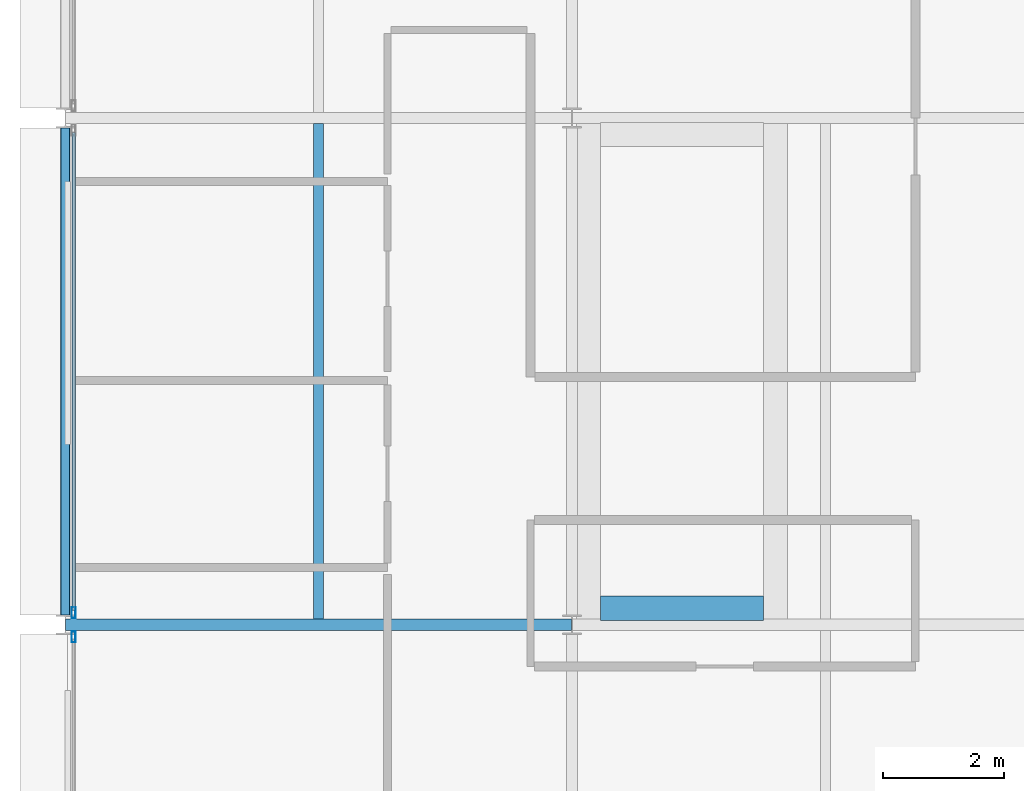
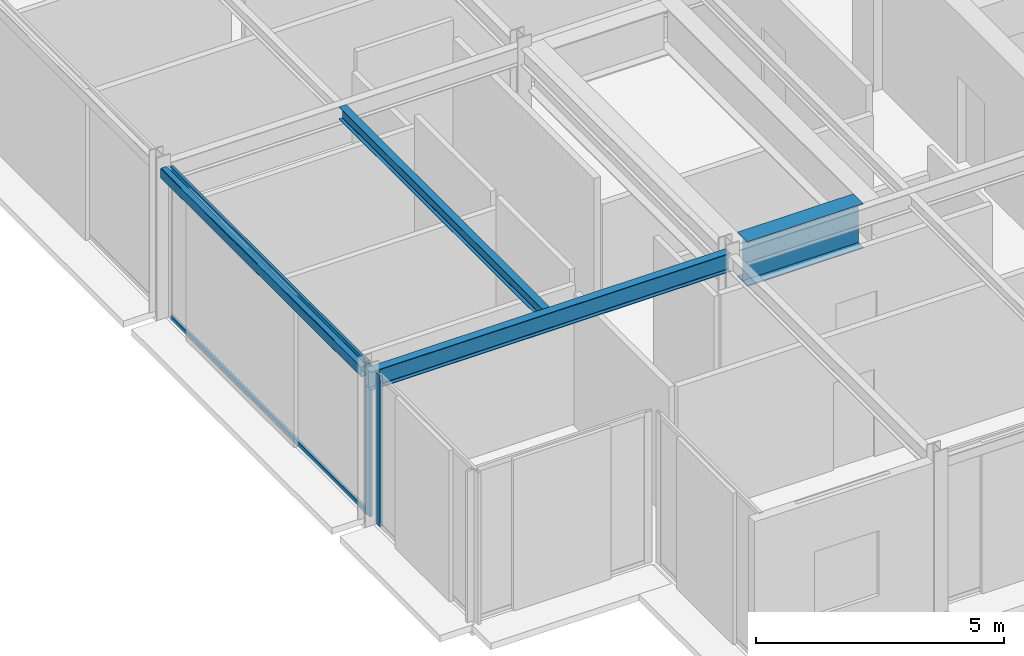
# One storey, part 5 of 25: 4 beams, 4 members, 2 elements without a shape of their own.
"""IFC4 building model written with IfcOpenShell, lengths in metres."""

from ifc_helpers import new_model, si_unit, direction, frame, origin, origin_2d, place, context, subcontext, project, spatial, hollow_rectangle, i_section, extrude, material, layer, layer_set, material_profile, profile_set, type_object, element, aggregate, save


model = new_model("IFC4")

# Units and contexts
model_context = context("Model", 3, precision=1e-05, world=origin(), true_north=direction((0.0, 1.0)))
body_context = subcontext(model_context, "Body", "Model", "MODEL_VIEW")
ifc_project = project(units=[si_unit("LENGTHUNIT", "METRE"), si_unit("AREAUNIT", "SQUARE_METRE"), si_unit("VOLUMEUNIT", "CUBIC_METRE"), si_unit("PLANEANGLEUNIT", "RADIAN"), si_unit("MASSUNIT", "GRAM", prefix="KILO")], contexts=[model_context])

# Site, building, storey
site_placement = place(None, origin())
site = spatial("IfcSite", under=ifc_project, at=site_placement, CompositionType="ELEMENT")
building_placement = place(site_placement, origin())
building = spatial("IfcBuilding", under=site, at=building_placement, Name="Nerrivon Quay Data Exchange", CompositionType="ELEMENT")
storey_placement = place(building_placement, frame((0.0, 0.0, 314.199951171875)))
storey = spatial("IfcBuildingStorey", under=building, at=storey_placement, Name="L75", CompositionType="ELEMENT", Elevation=314.199951171875)

# Beams
ifc_material_1 = material(Name="Steel Grade 350", Category="steel")
ifc_material_profile_1 = material_profile(ifc_material_1, i_section(OverallWidth=0.18994140625, OverallDepth=0.4541015625, WebThickness=0.008544921875, FlangeThickness=0.0126953125, FilletRadius=0.011474609375, at=origin_2d()), Name="460UB67.1")
ifc_profile_set_1 = profile_set([ifc_material_profile_1], Name="Steel Grade 350")
beam_type_1 = type_object("IfcBeamType", Name="BM-G6-460UB67", PredefinedType="BEAM", material=ifc_profile_set_1)
beam_1_placement = place(storey_placement, frame((0.0078125, 8.39990234375, 3.498046875), z_axis=(1.0, 0.0, 0.0), x_axis=(0.0, 1.0, 0.0)))
element("IfcBeam", 1, at=beam_1_placement, inside=storey, type_object=beam_type_1, Name="L75 EW Girder Y=8.4 (0.0..8.4)", PredefinedType="BEAM", context=body_context, shape_type="SweptSolid", body=[
    extrude(i_section(OverallWidth=0.18994140625, OverallDepth=0.4541015625, WebThickness=0.008544921875, FlangeThickness=0.0126953125, FilletRadius=0.011474609375, at=origin_2d()), origin(), (0.0, 0.0, 1.0), 8.38427734375),
])
ifc_material_profile_2 = material_profile(ifc_material_1, i_section(OverallWidth=0.1650390625, OverallDepth=0.303955078125, WebThickness=0.006103515625, FlangeThickness=0.01025390625, FilletRadius=0.011474609375, at=origin_2d()), Name="310UB40.4")
ifc_profile_set_2 = profile_set([ifc_material_profile_2], Name="Steel Grade 350")
beam_type_2 = type_object("IfcBeamType", Name="BM-J6-310UB40", PredefinedType="JOIST", material=ifc_profile_set_2)
beam_2_placement = place(storey_placement, frame((4.199951171875, 8.4951171875, 3.572998046875), z_axis=(0.0, 1.0, 0.0), x_axis=(-1.0, 0.0, 0.0)))
element("IfcBeam", 2, at=beam_2_placement, inside=storey, type_object=beam_type_2, Name="L75 Secondary Joist X=4.2 (8.4..16.8)", PredefinedType="JOIST", context=body_context, shape_type="SweptSolid", body=[
    extrude(i_section(OverallWidth=0.1650390625, OverallDepth=0.303955078125, WebThickness=0.006103515625, FlangeThickness=0.01025390625, FilletRadius=0.011474609375, at=origin_2d()), origin(), (0.0, 0.0, 1.0), 8.2099609375),
])
ifc_material_2 = material(Name="Steel Grade C350L0 (350 MPa)", Category="steel")
ifc_material_profile_3 = material_profile(ifc_material_2, hollow_rectangle(XDim=0.14990234375, YDim=0.25, WallThickness=0.009033203125, InnerFilletRadius=0.013427734375, OuterFilletRadius=0.0224609375, at=origin_2d()), Name="250x150x9.0RHS")
ifc_profile_set_3 = profile_set([ifc_material_profile_3], Name="Steel Grade C350L0 (350 MPa)")
beam_type_3 = type_object("IfcBeamType", Name="BM-SP4-250x150RHS", PredefinedType="SPANDREL", material=ifc_profile_set_3)
beam_3_placement = place(storey_placement, frame((0.0, 8.5634765625, 3.60009765625), z_axis=(0.0, 1.0, 0.0), x_axis=(-1.0, 0.0, 0.0)))
element("IfcBeam", 3, at=beam_3_placement, inside=storey, type_object=beam_type_3, Name="L75 NS Girder X=0.0 (8.4..16.8)", PredefinedType="SPANDREL", context=body_context, shape_type="SweptSolid", body=[
    extrude(hollow_rectangle(XDim=0.14990234375, YDim=0.25, WallThickness=0.009033203125, InnerFilletRadius=0.013427734375, OuterFilletRadius=0.0224609375, at=origin_2d()), origin(), (0.0, 0.0, 1.0), 8.072998046875),
])
ifc_material_profile_4 = material_profile(ifc_material_1, i_section(OverallWidth=0.39990234375, OverallDepth=1.10009765625, WebThickness=0.01611328125, FlangeThickness=0.028076171875, at=origin_2d()), Name="1100WB288")
ifc_profile_set_4 = profile_set([ifc_material_profile_4], Name="Steel Grade 350")
beam_type_4 = type_object("IfcBeamType", Name="BM-TG2-1100WB", PredefinedType="USERDEFINED", material=ifc_profile_set_4)
beam_4_placement = place(storey_placement, frame((8.875, 8.675048828125, 3.175048828125), z_axis=(1.0, 0.0, 0.0), x_axis=(0.0, 1.0, 0.0)))
element("IfcBeam", 4, at=beam_4_placement, inside=storey, type_object=beam_type_4, Name="L75 Crown Stair ST08 Cross Transfer Girder S", ObjectType="TRANSFER", PredefinedType="USERDEFINED", context=body_context, shape_type="SweptSolid", body=[
    extrude(i_section(OverallWidth=0.39990234375, OverallDepth=1.10009765625, WebThickness=0.01611328125, FlangeThickness=0.028076171875, at=origin_2d()), origin(), (0.0, 0.0, 1.0), 2.699951171875),
])

# Curtain wall, member
ifc_material_3 = material(Name="Anodised aluminium 6063-T6", Category="aluminium")
ifc_layer = layer(ifc_material_3, 0.195068359375)
ifc_layer_set = layer_set([ifc_layer], Name="Anodised aluminium 6063-T6")
curtain_wall_type = type_object("IfcCurtainWallType", Name="CW-SYS-06", PredefinedType="NOTDEFINED", material=ifc_layer_set)
curtain_wall_1_placement = place(storey_placement, origin())
curtain_wall_1 = element("IfcCurtainWall", 5, at=curtain_wall_1_placement, inside=storey, type_object=curtain_wall_type, Name="L75 Unitised Curtain Wall 8", PredefinedType="NOTDEFINED")
ifc_material_profile_5 = material_profile(ifc_material_3, hollow_rectangle(XDim=0.06494140625, YDim=0.179931640625, WallThickness=0.00341796875, at=origin_2d()), Name="ALU-MULL-180x65")
ifc_profile_set_5 = profile_set([ifc_material_profile_5], Name="Anodised aluminium 6063-T6")
member_type_1 = type_object("IfcMemberType", Name="CWM-180x65", PredefinedType="MULLION", material=ifc_profile_set_5)
member_1_placement = place(storey_placement, frame((0.139892578125, 8.198974609375, 0.0), z_axis=(0.0, 0.0, 1.0), x_axis=(-1.0, 0.0, 0.0)))
member_1 = element("IfcMember", 6, at=member_1_placement, type_object=member_type_1, Name="CW06 mullion 2", PredefinedType="MULLION", context=body_context, shape_type="SweptSolid", body=[
    extrude(hollow_rectangle(XDim=0.06494140625, YDim=0.179931640625, WallThickness=0.00341796875, at=origin_2d()), origin(), (0.0, 0.0, 1.0), 3.72509765625),
])
aggregate(curtain_wall_1, [member_1])

# Curtain wall, members
curtain_wall_2_placement = place(storey_placement, origin())
curtain_wall_2 = element("IfcCurtainWall", 7, at=curtain_wall_2_placement, inside=storey, type_object=curtain_wall_type, Name="L75 Unitised Curtain Wall 9", PredefinedType="NOTDEFINED")
member_2_placement = place(storey_placement, frame((0.139892578125, 8.60107421875, 0.0), z_axis=(0.0, 0.0, 1.0), x_axis=(-1.0, 0.0, 0.0)))
member_2 = element("IfcMember", 8, at=member_2_placement, type_object=member_type_1, Name="CW06 mullion 1", PredefinedType="MULLION", context=body_context, shape_type="SweptSolid", body=[
    extrude(hollow_rectangle(XDim=0.06494140625, YDim=0.179931640625, WallThickness=0.00341796875, at=origin_2d()), origin(), (0.0, 0.0, 1.0), 3.72509765625),
])
ifc_material_profile_6 = material_profile(ifc_material_3, hollow_rectangle(XDim=0.06005859375, YDim=0.1201171875, WallThickness=0.003173828125, at=origin_2d()), Name="ALU-TRAN-120x60")
ifc_profile_set_6 = profile_set([ifc_material_profile_6], Name="Anodised aluminium 6063-T6")
member_type_2 = type_object("IfcMemberType", Name="CWT-120x60", PredefinedType="USERDEFINED", material=ifc_profile_set_6)
member_3_placement = place(storey_placement, frame((0.139892578125, 8.638427734375, 0.032470703125), z_axis=(0.0, 1.0, 0.0), x_axis=(-1.0, 0.0, 0.0)))
member_3 = element("IfcMember", 9, at=member_3_placement, type_object=member_type_2, Name="CW06 transom 1.1", ObjectType="TRANSOM", PredefinedType="USERDEFINED", context=body_context, shape_type="SweptSolid", body=[
    extrude(hollow_rectangle(XDim=0.06005859375, YDim=0.1201171875, WallThickness=0.003173828125, at=origin_2d()), origin(), (0.0, 0.0, 1.0), 7.923095703125),
])
member_4_placement = place(storey_placement, frame((0.139892578125, 8.638427734375, 3.692626953125), z_axis=(0.0, 1.0, 0.0), x_axis=(-1.0, 0.0, 0.0)))
member_4 = element("IfcMember", 10, at=member_4_placement, type_object=member_type_2, Name="CW06 transom 1.2", ObjectType="TRANSOM", PredefinedType="USERDEFINED", context=body_context, shape_type="SweptSolid", body=[
    extrude(hollow_rectangle(XDim=0.06005859375, YDim=0.1201171875, WallThickness=0.003173828125, at=origin_2d()), origin(), (0.0, 0.0, 1.0), 7.923095703125),
])
aggregate(curtain_wall_2, [member_2, member_3, member_4])

save(model, "model.ifc")
